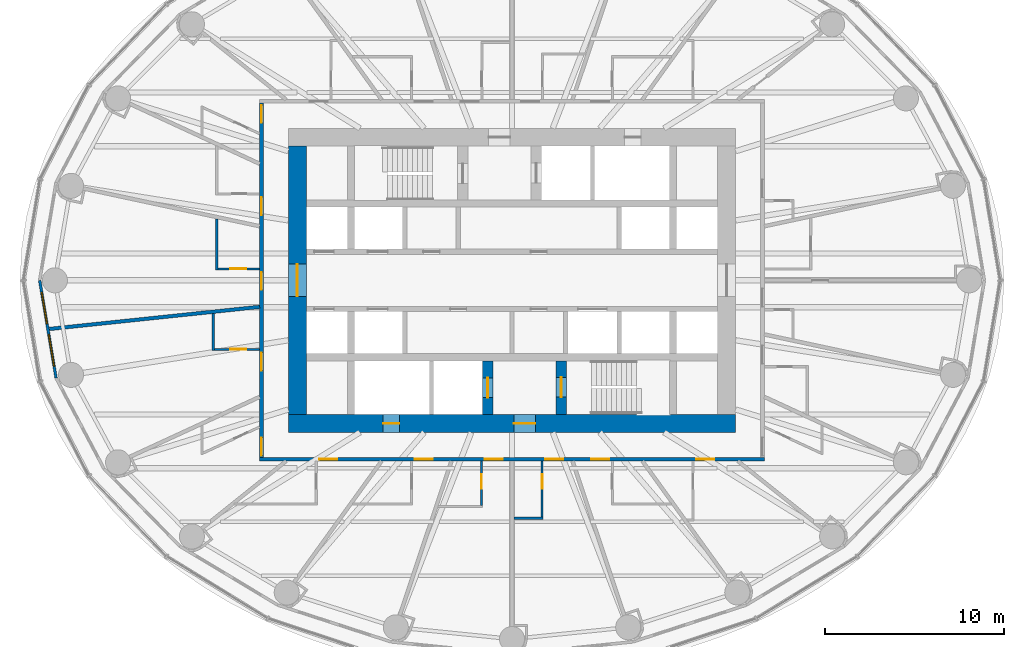
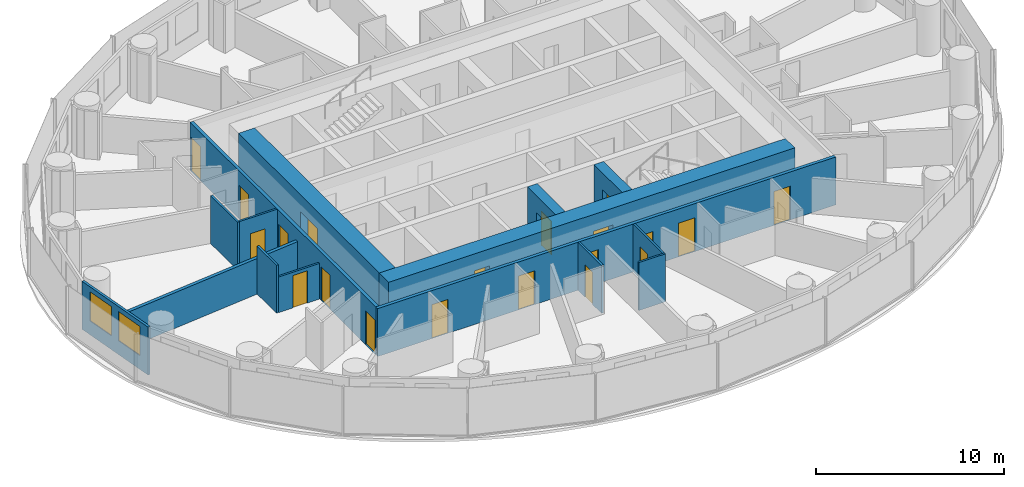
# One storey, part 7 of 14: 20 doors, 15 walls, 2 windows, 22 openings.
"""IFC4 building model written with IfcOpenShell, lengths in metres."""

from ifc_helpers import new_model, si_unit, direction, frame, frame_2d, origin, place, context, subcontext, project, spatial, rectangle, extrude, material, layer, layer_set, type_object, element, fill, save


model = new_model("IFC4")

# Units and contexts
model_context = context("Model", 3, precision=1e-05, world=origin(), true_north=direction((0.0, 1.0)))
body_context = subcontext(model_context, "Body", "Model", "MODEL_VIEW")
ifc_project = project(units=[si_unit("LENGTHUNIT", "METRE"), si_unit("AREAUNIT", "SQUARE_METRE"), si_unit("VOLUMEUNIT", "CUBIC_METRE"), si_unit("PLANEANGLEUNIT", "RADIAN"), si_unit("MASSUNIT", "GRAM", prefix="KILO")], contexts=[model_context])

# Site, building, storey
site_placement = place(None, origin())
site = spatial("IfcSite", under=ifc_project, at=site_placement, CompositionType="ELEMENT")
building_placement = place(site_placement, origin())
building = spatial("IfcBuilding", under=site, at=building_placement, Name="Hankou Lantern Tower", CompositionType="ELEMENT")
storey_placement = place(building_placement, frame((0.0, 0.0, 67.199951171875)))
storey = spatial("IfcBuildingStorey", under=building, at=storey_placement, Name="L16", CompositionType="ELEMENT", Elevation=67.199951171875)

# Wall, openings, doors
ifc_material_1 = material(Name="Concrete C60", Category="concrete")
ifc_layer_1 = layer(ifc_material_1, 1.0)
ifc_layer_set_1 = layer_set([ifc_layer_1], Name="Concrete C60")
wall_type_1 = type_object("IfcWallType", Name="CW1 CORE WALL 1000", PredefinedType="SHEAR", material=ifc_layer_set_1)
wall_1_placement = place(storey_placement, frame((12.5, -8.0, 0.0), z_axis=(0.0, 0.0, 1.0), x_axis=(-1.0, 0.0, 0.0)))
wall_1 = element("IfcWall", 1, at=wall_1_placement, inside=storey, type_object=wall_type_1, Name="Core wall south L16", PredefinedType="SHEAR", context=body_context, shape_type="SweptSolid", body=[
    extrude(rectangle(XDim=25.0, YDim=1.0, at=frame_2d((12.5, 0.0))), origin(), (0.0, 0.0, 1.0), 3.300048828125),
])
opening_1_placement = place(wall_1_placement, frame((11.199951171875, 0.0, 0.0)))
opening_1 = element("IfcOpeningElement", 2, at=opening_1_placement, cuts=wall_1, Name="Opening D5", PredefinedType="OPENING", context=body_context, shape_type="SweptSolid", body=[
    extrude(rectangle(XDim=1.199951171875, YDim=2.199951171875, at=frame_2d((0.60009765625, 1.10009765625))), frame((0.0, 0.510009765625, 0.0), z_axis=(0.0, -1.0, 0.0), x_axis=(1.0, 0.0, 0.0)), (0.0, 0.0, 1.0), 1.02001953125),
])
opening_2_placement = place(wall_1_placement, frame((18.800048828125, 0.0, 0.0)))
opening_2 = element("IfcOpeningElement", 3, at=opening_2_placement, cuts=wall_1, Name="Opening D7", PredefinedType="OPENING", context=body_context, shape_type="SweptSolid", body=[
    extrude(rectangle(XDim=0.89990234375, YDim=2.199951171875, at=frame_2d((0.449951171875, 1.10009765625))), frame((0.0, 0.510009765625, 0.0), z_axis=(0.0, -1.0, 0.0), x_axis=(1.0, 0.0, 0.0)), (0.0, 0.0, 1.0), 1.02001953125),
])
ifc_material_2 = material(Name="Steel door leaf", Category="steel")
door_type_1 = type_object("IfcDoorType", Name="D5 STAIR LOBBY DOOR 1200X2200", OperationType="SINGLE_SWING_LEFT", PredefinedType="DOOR", material=ifc_material_2)
door_1_placement = place(opening_1_placement, origin())
door_1 = element("IfcDoor", 4, at=door_1_placement, inside=storey, type_object=door_type_1, Name="Stair B lobby door", OperationType="SINGLE_SWING_LEFT", OverallHeight=2.199951171875, OverallWidth=1.199951171875, PredefinedType="DOOR", context=body_context, shape_type="SweptSolid", body=[
    extrude(rectangle(XDim=1.199951171875, YDim=2.199951171875, at=frame_2d((0.60009765625, 1.10009765625))), frame((0.0, 0.02490234375, 0.0), z_axis=(0.0, -1.0, 0.0), x_axis=(1.0, 0.0, 0.0)), (0.0, 0.0, 1.0), 0.050048828125),
])
fill(opening_1, door_1)
ifc_material_3 = material(Name="Steel door leaf", Category="steel")
door_type_2 = type_object("IfcDoorType", Name="D7 RISER DOOR 900X2200", OperationType="SINGLE_SWING_LEFT", PredefinedType="DOOR", material=ifc_material_3)
door_2_placement = place(opening_2_placement, origin())
door_2 = element("IfcDoor", 5, at=door_2_placement, inside=storey, type_object=door_type_2, Name="Riser S1 door", OperationType="SINGLE_SWING_RIGHT", OverallHeight=2.199951171875, OverallWidth=0.89990234375, PredefinedType="DOOR", context=body_context, shape_type="SweptSolid", body=[
    extrude(rectangle(XDim=0.89990234375, YDim=2.199951171875, at=frame_2d((0.449951171875, 1.10009765625))), frame((0.0, 0.02490234375, 0.0), z_axis=(0.0, -1.0, 0.0), x_axis=(1.0, 0.0, 0.0)), (0.0, 0.0, 1.0), 0.050048828125),
])
fill(opening_2, door_2)

# Wall, opening, door
wall_2_placement = place(storey_placement, frame((-12.0, 7.5, 0.0), z_axis=(0.0, 0.0, 1.0), x_axis=(0.0, -1.0, 0.0)))
wall_2 = element("IfcWall", 6, at=wall_2_placement, inside=storey, type_object=wall_type_1, Name="Core wall west L16", PredefinedType="SHEAR", context=body_context, shape_type="SweptSolid", body=[
    extrude(rectangle(XDim=15.0, YDim=1.0, at=frame_2d((7.5, 0.0))), origin(), (0.0, 0.0, 1.0), 3.300048828125),
])
opening_3_placement = place(wall_2_placement, frame((6.60009765625, 0.0, 0.0)))
opening_3 = element("IfcOpeningElement", 7, at=opening_3_placement, cuts=wall_2, Name="Opening D6", PredefinedType="OPENING", context=body_context, shape_type="SweptSolid", body=[
    extrude(rectangle(XDim=1.800048828125, YDim=2.199951171875, at=frame_2d((0.89990234375, 1.10009765625))), frame((0.0, 0.510009765625, 0.0), z_axis=(0.0, -1.0, 0.0), x_axis=(1.0, 0.0, 0.0)), (0.0, 0.0, 1.0), 1.02001953125),
])
ifc_material_4 = material(Name="Steel door leaf", Category="steel")
door_type_3 = type_object("IfcDoorType", Name="D6 LIFT LOBBY DOOR 1800X2200", OperationType="DOUBLE_DOOR_DOUBLE_SWING", PredefinedType="DOOR", material=ifc_material_4)
door_3_placement = place(opening_3_placement, origin())
door_3 = element("IfcDoor", 8, at=door_3_placement, inside=storey, type_object=door_type_3, Name="Lift lobby west door", OperationType="DOUBLE_DOOR_DOUBLE_SWING", OverallHeight=2.199951171875, OverallWidth=1.800048828125, PredefinedType="DOOR", context=body_context, shape_type="SweptSolid", body=[
    extrude(rectangle(XDim=1.800048828125, YDim=2.199951171875, at=frame_2d((0.89990234375, 1.10009765625))), frame((0.0, 0.02490234375, 0.0), z_axis=(0.0, -1.0, 0.0), x_axis=(1.0, 0.0, 0.0)), (0.0, 0.0, 1.0), 0.050048828125),
])
fill(opening_3, door_3)

ifc_material_5 = material(Name="Concrete C60", Category="concrete")
ifc_layer_2 = layer(ifc_material_5, 0.60009765625)
ifc_layer_set_2 = layer_set([ifc_layer_2], Name="Concrete C60")
wall_type_2 = type_object("IfcWallType", Name="CW6 STAIR AND SHAFT WALL 600", PredefinedType="SHEAR", material=ifc_layer_set_2)
wall_3_placement = place(storey_placement, frame((2.75, -7.5, 0.0), z_axis=(0.0, 0.0, 1.0), x_axis=(0.0, 1.0, 0.0)))
wall_3 = element("IfcWall", 9, at=wall_3_placement, inside=storey, type_object=wall_type_2, Name="Stair wall L16", PredefinedType="SHEAR", context=body_context, shape_type="SweptSolid", body=[
    extrude(rectangle(XDim=3.0, YDim=0.60009765625, at=frame_2d((1.5, 0.0))), origin(), (0.0, 0.0, 1.0), 3.300048828125),
])
opening_4_placement = place(wall_3_placement, frame((0.97509765625, 0.0, 0.0)))
opening_4 = element("IfcOpeningElement", 10, at=opening_4_placement, cuts=wall_3, Name="Opening D4", PredefinedType="OPENING", context=body_context, shape_type="SweptSolid", body=[
    extrude(rectangle(XDim=1.10009765625, YDim=2.199951171875, at=frame_2d((0.550048828125, 1.10009765625))), frame((0.0, 0.31005859375, 0.0), z_axis=(0.0, -1.0, 0.0), x_axis=(1.0, 0.0, 0.0)), (0.0, 0.0, 1.0), 0.6201171875),
])
ifc_material_6 = material(Name="Steel door leaf", Category="steel")
door_type_4 = type_object("IfcDoorType", Name="D4 STAIR DOOR 1100X2200", OperationType="SINGLE_SWING_LEFT", PredefinedType="DOOR", material=ifc_material_6)
door_4_placement = place(opening_4_placement, origin())
door_4 = element("IfcDoor", 11, at=door_4_placement, inside=storey, type_object=door_type_4, Name="Stair B door", OperationType="SINGLE_SWING_RIGHT", OverallHeight=2.199951171875, OverallWidth=1.10009765625, PredefinedType="DOOR", context=body_context, shape_type="SweptSolid", body=[
    extrude(rectangle(XDim=1.10009765625, YDim=2.199951171875, at=frame_2d((0.550048828125, 1.10009765625))), frame((0.0, 0.02490234375, 0.0), z_axis=(0.0, -1.0, 0.0), x_axis=(1.0, 0.0, 0.0)), (0.0, 0.0, 1.0), 0.050048828125),
])
fill(opening_4, door_4)

wall_4_placement = place(storey_placement, frame((-1.35009765625, -7.5, 0.0), z_axis=(0.0, 0.0, 1.0), x_axis=(0.0, 1.0, 0.0)))
wall_4 = element("IfcWall", 12, at=wall_4_placement, inside=storey, type_object=wall_type_2, Name="Firefighting lift shaft wall L16", PredefinedType="SHEAR", context=body_context, shape_type="SweptSolid", body=[
    extrude(rectangle(XDim=3.0, YDim=0.60009765625, at=frame_2d((1.5, 0.0))), origin(), (0.0, 0.0, 1.0), 3.300048828125),
])
opening_5_placement = place(wall_4_placement, frame((0.949951171875, 0.0, 0.0)))
opening_5 = element("IfcOpeningElement", 13, at=opening_5_placement, cuts=wall_4, Name="Opening LD2", PredefinedType="OPENING", context=body_context, shape_type="SweptSolid", body=[
    extrude(rectangle(XDim=1.10009765625, YDim=2.199951171875, at=frame_2d((0.550048828125, 1.10009765625))), frame((0.0, 0.31005859375, 0.0), z_axis=(0.0, -1.0, 0.0), x_axis=(1.0, 0.0, 0.0)), (0.0, 0.0, 1.0), 0.6201171875),
])
ifc_material_7 = material(Name="Steel door leaf", Category="steel")
door_type_5 = type_object("IfcDoorType", Name="LD2 FIREFIGHTING LIFT LANDING DOOR 1100X2200", OperationType="DOUBLE_DOOR_SLIDING", PredefinedType="DOOR", material=ifc_material_7)
door_5_placement = place(opening_5_placement, origin())
door_5 = element("IfcDoor", 14, at=door_5_placement, inside=storey, type_object=door_type_5, Name="Firefighting lift FL2 landing door", OperationType="DOUBLE_DOOR_SLIDING", OverallHeight=2.199951171875, OverallWidth=1.10009765625, PredefinedType="DOOR", context=body_context, shape_type="SweptSolid", body=[
    extrude(rectangle(XDim=1.10009765625, YDim=2.199951171875, at=frame_2d((0.550048828125, 1.10009765625))), frame((0.0, 0.02490234375, 0.0), z_axis=(0.0, -1.0, 0.0), x_axis=(1.0, 0.0, 0.0)), (0.0, 0.0, 1.0), 0.050048828125),
])
fill(opening_5, door_5)

# Wall, openings, windows
ifc_material_8 = material(Name="Aluminium spandrel panel on steel studs", Category="steel")
ifc_layer_3 = layer(ifc_material_8, 0.14990234375)
ifc_layer_set_3 = layer_set([ifc_layer_3], Name="Aluminium spandrel panel on steel studs")
wall_type_3 = type_object("IfcWallType", Name="EW1 INNER SKIN WALL 150", PredefinedType="ELEMENTEDWALL", material=ifc_layer_set_3)
wall_5_placement = place(storey_placement, frame((-26.39990234375, 0.0, 0.0), z_axis=(0.0, 0.0, 1.0), x_axis=(0.165642551694, -0.986185857264, 0.0)))
wall_5 = element("IfcWall", 15, at=wall_5_placement, inside=storey, type_object=wall_type_3, Name="Inner skin R13-R14 L16", PredefinedType="ELEMENTEDWALL", context=body_context, shape_type="SweptSolid", body=[
    extrude(rectangle(XDim=5.538818359375, YDim=0.14990234375, at=frame_2d((2.76953125, 0.0))), origin(), (0.0, 0.0, 1.0), 3.1201171875),
])
opening_6_placement = place(wall_5_placement, frame((0.66943359375, 0.0, 0.89990234375)))
opening_6 = element("IfcOpeningElement", 16, at=opening_6_placement, cuts=wall_5, Name="Opening W1", PredefinedType="OPENING", context=body_context, shape_type="SweptSolid", body=[
    extrude(rectangle(XDim=1.800048828125, YDim=1.89990234375, at=frame_2d((0.89990234375, 0.949951171875))), frame((0.0, 0.0849609375, 0.0), z_axis=(0.0, -1.0, 0.0), x_axis=(1.0, 0.0, 0.0)), (0.0, 0.0, 1.0), 0.169921875),
])
opening_7_placement = place(wall_5_placement, frame((3.069580078125, 0.0, 0.89990234375)))
opening_7 = element("IfcOpeningElement", 17, at=opening_7_placement, cuts=wall_5, Name="Opening W1", PredefinedType="OPENING", context=body_context, shape_type="SweptSolid", body=[
    extrude(rectangle(XDim=1.800048828125, YDim=1.89990234375, at=frame_2d((0.89990234375, 0.949951171875))), frame((0.0, 0.0849609375, 0.0), z_axis=(0.0, -1.0, 0.0), x_axis=(1.0, 0.0, 0.0)), (0.0, 0.0, 1.0), 0.169921875),
])
ifc_material_9 = material(Name="Aluminium framed double glazed window", Category="aluminium")
window_type = type_object("IfcWindowType", Name="W1 GUEST ROOM WINDOW 1800X1900", PartitioningType="DOUBLE_PANEL_VERTICAL", PredefinedType="WINDOW", material=ifc_material_9)
window_1_placement = place(opening_6_placement, origin())
window_1 = element("IfcWindow", 18, at=window_1_placement, inside=storey, type_object=window_type, Name="Window R13.1 L16", OverallHeight=1.89990234375, OverallWidth=1.800048828125, PartitioningType="SINGLE_PANEL", PredefinedType="WINDOW", context=body_context, shape_type="SweptSolid", body=[
    extrude(rectangle(XDim=1.800048828125, YDim=1.89990234375, at=frame_2d((0.89990234375, 0.949951171875))), frame((0.0, 0.030029296875, 0.0), z_axis=(0.0, -1.0, 0.0), x_axis=(1.0, 0.0, 0.0)), (0.0, 0.0, 1.0), 0.06005859375),
])
fill(opening_6, window_1)
window_2_placement = place(opening_7_placement, origin())
window_2 = element("IfcWindow", 19, at=window_2_placement, inside=storey, type_object=window_type, Name="Window R13.2 L16", OverallHeight=1.89990234375, OverallWidth=1.800048828125, PartitioningType="SINGLE_PANEL", PredefinedType="WINDOW", context=body_context, shape_type="SweptSolid", body=[
    extrude(rectangle(XDim=1.800048828125, YDim=1.89990234375, at=frame_2d((0.89990234375, 0.949951171875))), frame((0.0, 0.030029296875, 0.0), z_axis=(0.0, -1.0, 0.0), x_axis=(1.0, 0.0, 0.0)), (0.0, 0.0, 1.0), 0.06005859375),
])
fill(opening_7, window_2)

# Wall
ifc_material_10 = material(Name="Masonry lightweight concrete block", Category="masonry")
ifc_layer_4 = layer(ifc_material_10, 0.199951171875)
ifc_layer_set_4 = layer_set([ifc_layer_4], Name="Masonry lightweight concrete block")
wall_type_4 = type_object("IfcWallType", Name="IW1 GUEST ROOM PARTY WALL 200", PredefinedType="PARTITIONING", material=ifc_layer_set_4)
wall_6_placement = place(storey_placement, frame((-14.10009765625, -1.48193359375, 0.0), z_axis=(0.0, 0.0, 1.0), x_axis=(-0.994522076235, -0.104526742422, 0.0)))
element("IfcWall", 20, at=wall_6_placement, inside=storey, type_object=wall_type_4, Name="Party wall R13-R14", PredefinedType="PARTITIONING", context=body_context, shape_type="SweptSolid", body=[
    extrude(rectangle(XDim=11.82080078125, YDim=0.199951171875, at=frame_2d((5.910400390625, 0.0))), origin(), (0.0, 0.0, 1.0), 2.320068359375),
])

# Wall, openings, doors
ifc_material_11 = material(Name="Masonry lightweight concrete block", Category="masonry")
ifc_layer_5 = layer(ifc_material_11, 0.199951171875)
ifc_layer_set_5 = layer_set([ifc_layer_5], Name="Masonry lightweight concrete block")
wall_type_5 = type_object("IfcWallType", Name="IW2 CORRIDOR WALL 200", PredefinedType="PARTITIONING", material=ifc_layer_set_5)
wall_7_placement = place(storey_placement, frame((14.10009765625, -10.0, 0.0), z_axis=(0.0, 0.0, 1.0), x_axis=(-1.0, 0.0, 0.0)))
wall_7 = element("IfcWall", 21, at=wall_7_placement, inside=storey, type_object=wall_type_5, Name="Corridor wall south", PredefinedType="PARTITIONING", context=body_context, shape_type="SweptSolid", body=[
    extrude(rectangle(XDim=28.2001953125, YDim=0.199951171875, at=frame_2d((14.10009765625, 0.0))), origin(), (0.0, 0.0, 1.0), 3.1201171875),
])
opening_8_placement = place(wall_7_placement, frame((23.864990234375, 0.0, 0.0)))
opening_8 = element("IfcOpeningElement", 22, at=opening_8_placement, cuts=wall_7, Name="Opening D1", PredefinedType="OPENING", context=body_context, shape_type="SweptSolid", body=[
    extrude(rectangle(XDim=1.0, YDim=2.199951171875, at=frame_2d((0.5, 1.10009765625))), frame((0.0, 0.10986328125, 0.0), z_axis=(0.0, -1.0, 0.0), x_axis=(1.0, 0.0, 0.0)), (0.0, 0.0, 1.0), 0.219970703125),
])
opening_9_placement = place(wall_7_placement, frame((18.529052734375, 0.0, 0.0)))
opening_9 = element("IfcOpeningElement", 23, at=opening_9_placement, cuts=wall_7, Name="Opening D1", PredefinedType="OPENING", context=body_context, shape_type="SweptSolid", body=[
    extrude(rectangle(XDim=1.0, YDim=2.199951171875, at=frame_2d((0.5, 1.10009765625))), frame((0.0, 0.10986328125, 0.0), z_axis=(0.0, -1.0, 0.0), x_axis=(1.0, 0.0, 0.0)), (0.0, 0.0, 1.0), 0.219970703125),
])
opening_10_placement = place(wall_7_placement, frame((14.622802734375, 0.0, 0.0)))
opening_10 = element("IfcOpeningElement", 24, at=opening_10_placement, cuts=wall_7, Name="Opening D1", PredefinedType="OPENING", context=body_context, shape_type="SweptSolid", body=[
    extrude(rectangle(XDim=1.0, YDim=2.199951171875, at=frame_2d((0.5, 1.10009765625))), frame((0.0, 0.10986328125, 0.0), z_axis=(0.0, -1.0, 0.0), x_axis=(1.0, 0.0, 0.0)), (0.0, 0.0, 1.0), 0.219970703125),
])
opening_11_placement = place(wall_7_placement, frame((11.239990234375, 0.0, 0.0)))
opening_11 = element("IfcOpeningElement", 25, at=opening_11_placement, cuts=wall_7, Name="Opening D1", PredefinedType="OPENING", context=body_context, shape_type="SweptSolid", body=[
    extrude(rectangle(XDim=1.0, YDim=2.199951171875, at=frame_2d((0.5, 1.10009765625))), frame((0.0, 0.10986328125, 0.0), z_axis=(0.0, -1.0, 0.0), x_axis=(1.0, 0.0, 0.0)), (0.0, 0.0, 1.0), 0.219970703125),
])
opening_12_placement = place(wall_7_placement, frame((8.6708984375, 0.0, 0.0)))
opening_12 = element("IfcOpeningElement", 26, at=opening_12_placement, cuts=wall_7, Name="Opening D1", PredefinedType="OPENING", context=body_context, shape_type="SweptSolid", body=[
    extrude(rectangle(XDim=1.0, YDim=2.199951171875, at=frame_2d((0.5, 1.10009765625))), frame((0.0, 0.10986328125, 0.0), z_axis=(0.0, -1.0, 0.0), x_axis=(1.0, 0.0, 0.0)), (0.0, 0.0, 1.0), 0.219970703125),
])
opening_13_placement = place(wall_7_placement, frame((2.801025390625, 0.0, 0.0)))
opening_13 = element("IfcOpeningElement", 27, at=opening_13_placement, cuts=wall_7, Name="Opening D1", PredefinedType="OPENING", context=body_context, shape_type="SweptSolid", body=[
    extrude(rectangle(XDim=1.0, YDim=2.199951171875, at=frame_2d((0.5, 1.10009765625))), frame((0.0, 0.10986328125, 0.0), z_axis=(0.0, -1.0, 0.0), x_axis=(1.0, 0.0, 0.0)), (0.0, 0.0, 1.0), 0.219970703125),
])
ifc_material_12 = material(Name="Steel door leaf", Category="steel")
door_type_6 = type_object("IfcDoorType", Name="D1 GUEST ROOM DOOR 1000X2200", OperationType="SINGLE_SWING_LEFT", PredefinedType="DOOR", material=ifc_material_12)
door_6_placement = place(opening_8_placement, origin())
door_6 = element("IfcDoor", 28, at=door_6_placement, inside=storey, type_object=door_type_6, Name="Guest room door 1615", OperationType="SINGLE_SWING_RIGHT", OverallHeight=2.199951171875, OverallWidth=1.0, PredefinedType="DOOR", context=body_context, shape_type="SweptSolid", body=[
    extrude(rectangle(XDim=1.0, YDim=2.199951171875, at=frame_2d((0.5, 1.10009765625))), frame((0.0, 0.02490234375, 0.0), z_axis=(0.0, -1.0, 0.0), x_axis=(1.0, 0.0, 0.0)), (0.0, 0.0, 1.0), 0.050048828125),
])
fill(opening_8, door_6)
door_7_placement = place(opening_9_placement, origin())
door_7 = element("IfcDoor", 29, at=door_7_placement, inside=storey, type_object=door_type_6, Name="Guest room door 1616", OperationType="SINGLE_SWING_RIGHT", OverallHeight=2.199951171875, OverallWidth=1.0, PredefinedType="DOOR", context=body_context, shape_type="SweptSolid", body=[
    extrude(rectangle(XDim=1.0, YDim=2.199951171875, at=frame_2d((0.5, 1.10009765625))), frame((0.0, 0.02490234375, 0.0), z_axis=(0.0, -1.0, 0.0), x_axis=(1.0, 0.0, 0.0)), (0.0, 0.0, 1.0), 0.050048828125),
])
fill(opening_9, door_7)
door_8_placement = place(opening_10_placement, origin())
door_8 = element("IfcDoor", 30, at=door_8_placement, inside=storey, type_object=door_type_6, Name="Guest room door 1617", OperationType="SINGLE_SWING_RIGHT", OverallHeight=2.199951171875, OverallWidth=1.0, PredefinedType="DOOR", context=body_context, shape_type="SweptSolid", body=[
    extrude(rectangle(XDim=1.0, YDim=2.199951171875, at=frame_2d((0.5, 1.10009765625))), frame((0.0, 0.02490234375, 0.0), z_axis=(0.0, -1.0, 0.0), x_axis=(1.0, 0.0, 0.0)), (0.0, 0.0, 1.0), 0.050048828125),
])
fill(opening_10, door_8)
door_9_placement = place(opening_11_placement, origin())
door_9 = element("IfcDoor", 31, at=door_9_placement, inside=storey, type_object=door_type_6, Name="Guest room door 1618", OperationType="SINGLE_SWING_RIGHT", OverallHeight=2.199951171875, OverallWidth=1.0, PredefinedType="DOOR", context=body_context, shape_type="SweptSolid", body=[
    extrude(rectangle(XDim=1.0, YDim=2.199951171875, at=frame_2d((0.5, 1.10009765625))), frame((0.0, 0.02490234375, 0.0), z_axis=(0.0, -1.0, 0.0), x_axis=(1.0, 0.0, 0.0)), (0.0, 0.0, 1.0), 0.050048828125),
])
fill(opening_11, door_9)
door_10_placement = place(opening_12_placement, origin())
door_10 = element("IfcDoor", 32, at=door_10_placement, inside=storey, type_object=door_type_6, Name="Guest room door 1619", OperationType="SINGLE_SWING_LEFT", OverallHeight=2.199951171875, OverallWidth=1.0, PredefinedType="DOOR", context=body_context, shape_type="SweptSolid", body=[
    extrude(rectangle(XDim=1.0, YDim=2.199951171875, at=frame_2d((0.5, 1.10009765625))), frame((0.0, 0.02490234375, 0.0), z_axis=(0.0, -1.0, 0.0), x_axis=(1.0, 0.0, 0.0)), (0.0, 0.0, 1.0), 0.050048828125),
])
fill(opening_12, door_10)
door_11_placement = place(opening_13_placement, origin())
door_11 = element("IfcDoor", 33, at=door_11_placement, inside=storey, type_object=door_type_6, Name="Guest room door 1620", OperationType="SINGLE_SWING_RIGHT", OverallHeight=2.199951171875, OverallWidth=1.0, PredefinedType="DOOR", context=body_context, shape_type="SweptSolid", body=[
    extrude(rectangle(XDim=1.0, YDim=2.199951171875, at=frame_2d((0.5, 1.10009765625))), frame((0.0, 0.02490234375, 0.0), z_axis=(0.0, -1.0, 0.0), x_axis=(1.0, 0.0, 0.0)), (0.0, 0.0, 1.0), 0.050048828125),
])
fill(opening_13, door_11)

wall_8_placement = place(storey_placement, frame((-14.0, 9.89990234375, 0.0), z_axis=(0.0, 0.0, 1.0), x_axis=(0.0, -1.0, 0.0)))
wall_8 = element("IfcWall", 34, at=wall_8_placement, inside=storey, type_object=wall_type_5, Name="Corridor wall west", PredefinedType="PARTITIONING", context=body_context, shape_type="SweptSolid", body=[
    extrude(rectangle(XDim=19.7998046875, YDim=0.199951171875, at=frame_2d((9.89990234375, 0.0))), origin(), (0.0, 0.0, 1.0), 3.1201171875),
])
opening_14_placement = place(wall_8_placement, frame((0.1025390625, 0.0, 0.0)))
opening_14 = element("IfcOpeningElement", 35, at=opening_14_placement, cuts=wall_8, Name="Opening D1", PredefinedType="OPENING", context=body_context, shape_type="SweptSolid", body=[
    extrude(rectangle(XDim=1.0, YDim=2.199951171875, at=frame_2d((0.5, 1.10009765625))), frame((0.0, 0.10986328125, 0.0), z_axis=(0.0, -1.0, 0.0), x_axis=(1.0, 0.0, 0.0)), (0.0, 0.0, 1.0), 0.219970703125),
])
opening_15_placement = place(wall_8_placement, frame((5.24755859375, 0.0, 0.0)))
opening_15 = element("IfcOpeningElement", 36, at=opening_15_placement, cuts=wall_8, Name="Opening D1", PredefinedType="OPENING", context=body_context, shape_type="SweptSolid", body=[
    extrude(rectangle(XDim=1.0, YDim=2.199951171875, at=frame_2d((0.5, 1.10009765625))), frame((0.0, 0.10986328125, 0.0), z_axis=(0.0, -1.0, 0.0), x_axis=(1.0, 0.0, 0.0)), (0.0, 0.0, 1.0), 0.219970703125),
])
opening_16_placement = place(wall_8_placement, frame((9.4375, 0.0, 0.0)))
opening_16 = element("IfcOpeningElement", 37, at=opening_16_placement, cuts=wall_8, Name="Opening D1", PredefinedType="OPENING", context=body_context, shape_type="SweptSolid", body=[
    extrude(rectangle(XDim=1.0, YDim=2.199951171875, at=frame_2d((0.5, 1.10009765625))), frame((0.0, 0.10986328125, 0.0), z_axis=(0.0, -1.0, 0.0), x_axis=(1.0, 0.0, 0.0)), (0.0, 0.0, 1.0), 0.219970703125),
])
opening_17_placement = place(wall_8_placement, frame((13.94189453125, 0.0, 0.0)))
opening_17 = element("IfcOpeningElement", 38, at=opening_17_placement, cuts=wall_8, Name="Opening D1", PredefinedType="OPENING", context=body_context, shape_type="SweptSolid", body=[
    extrude(rectangle(XDim=1.0, YDim=2.199951171875, at=frame_2d((0.5, 1.10009765625))), frame((0.0, 0.10986328125, 0.0), z_axis=(0.0, -1.0, 0.0), x_axis=(1.0, 0.0, 0.0)), (0.0, 0.0, 1.0), 0.219970703125),
])
opening_18_placement = place(wall_8_placement, frame((18.697509765625, 0.0, 0.0)))
opening_18 = element("IfcOpeningElement", 39, at=opening_18_placement, cuts=wall_8, Name="Opening D1", PredefinedType="OPENING", context=body_context, shape_type="SweptSolid", body=[
    extrude(rectangle(XDim=1.0, YDim=2.199951171875, at=frame_2d((0.5, 1.10009765625))), frame((0.0, 0.10986328125, 0.0), z_axis=(0.0, -1.0, 0.0), x_axis=(1.0, 0.0, 0.0)), (0.0, 0.0, 1.0), 0.219970703125),
])
door_12_placement = place(opening_14_placement, origin())
door_12 = element("IfcDoor", 40, at=door_12_placement, inside=storey, type_object=door_type_6, Name="Guest room door 1610", OperationType="SINGLE_SWING_LEFT", OverallHeight=2.199951171875, OverallWidth=1.0, PredefinedType="DOOR", context=body_context, shape_type="SweptSolid", body=[
    extrude(rectangle(XDim=1.0, YDim=2.199951171875, at=frame_2d((0.5, 1.10009765625))), frame((0.0, 0.02490234375, 0.0), z_axis=(0.0, -1.0, 0.0), x_axis=(1.0, 0.0, 0.0)), (0.0, 0.0, 1.0), 0.050048828125),
])
fill(opening_14, door_12)
door_13_placement = place(opening_15_placement, origin())
door_13 = element("IfcDoor", 41, at=door_13_placement, inside=storey, type_object=door_type_6, Name="Guest room door 1611", OperationType="SINGLE_SWING_LEFT", OverallHeight=2.199951171875, OverallWidth=1.0, PredefinedType="DOOR", context=body_context, shape_type="SweptSolid", body=[
    extrude(rectangle(XDim=1.0, YDim=2.199951171875, at=frame_2d((0.5, 1.10009765625))), frame((0.0, 0.02490234375, 0.0), z_axis=(0.0, -1.0, 0.0), x_axis=(1.0, 0.0, 0.0)), (0.0, 0.0, 1.0), 0.050048828125),
])
fill(opening_15, door_13)
door_14_placement = place(opening_16_placement, origin())
door_14 = element("IfcDoor", 42, at=door_14_placement, inside=storey, type_object=door_type_6, Name="Guest room door 1612", OperationType="SINGLE_SWING_RIGHT", OverallHeight=2.199951171875, OverallWidth=1.0, PredefinedType="DOOR", context=body_context, shape_type="SweptSolid", body=[
    extrude(rectangle(XDim=1.0, YDim=2.199951171875, at=frame_2d((0.5, 1.10009765625))), frame((0.0, 0.02490234375, 0.0), z_axis=(0.0, -1.0, 0.0), x_axis=(1.0, 0.0, 0.0)), (0.0, 0.0, 1.0), 0.050048828125),
])
fill(opening_16, door_14)
door_15_placement = place(opening_17_placement, origin())
door_15 = element("IfcDoor", 43, at=door_15_placement, inside=storey, type_object=door_type_6, Name="Guest room door 1613", OperationType="SINGLE_SWING_RIGHT", OverallHeight=2.199951171875, OverallWidth=1.0, PredefinedType="DOOR", context=body_context, shape_type="SweptSolid", body=[
    extrude(rectangle(XDim=1.0, YDim=2.199951171875, at=frame_2d((0.5, 1.10009765625))), frame((0.0, 0.02490234375, 0.0), z_axis=(0.0, -1.0, 0.0), x_axis=(1.0, 0.0, 0.0)), (0.0, 0.0, 1.0), 0.050048828125),
])
fill(opening_17, door_15)
door_16_placement = place(opening_18_placement, origin())
door_16 = element("IfcDoor", 44, at=door_16_placement, inside=storey, type_object=door_type_6, Name="Guest room door 1614", OperationType="SINGLE_SWING_RIGHT", OverallHeight=2.199951171875, OverallWidth=1.0, PredefinedType="DOOR", context=body_context, shape_type="SweptSolid", body=[
    extrude(rectangle(XDim=1.0, YDim=2.199951171875, at=frame_2d((0.5, 1.10009765625))), frame((0.0, 0.02490234375, 0.0), z_axis=(0.0, -1.0, 0.0), x_axis=(1.0, 0.0, 0.0)), (0.0, 0.0, 1.0), 0.050048828125),
])
fill(opening_18, door_16)

# Wall
ifc_material_13 = material(Name="Masonry lightweight concrete block", Category="masonry")
ifc_layer_6 = layer(ifc_material_13, 0.1201171875)
ifc_layer_set_6 = layer_set([ifc_layer_6], Name="Masonry lightweight concrete block")
wall_type_6 = type_object("IfcWallType", Name="IW3 BATHROOM WALL 120", PredefinedType="PARTITIONING", material=ifc_layer_set_6)
wall_9_placement = place(storey_placement, frame((-16.5, 3.43701171875, 0.0), z_axis=(0.0, 0.0, 1.0), x_axis=(0.0, -1.0, 0.0)))
element("IfcWall", 45, at=wall_9_placement, inside=storey, type_object=wall_type_6, Name="Box wall 1612 1", PredefinedType="PARTITIONING", context=body_context, shape_type="SweptSolid", body=[
    extrude(rectangle(XDim=2.8544921875, YDim=0.1201171875, at=frame_2d((1.42724609375, 0.0))), origin(), (0.0, 0.0, 1.0), 3.1201171875),
])

# Wall, opening, door
wall_10_placement = place(storey_placement, frame((-14.10009765625, 0.642578125, 0.0), z_axis=(0.0, 0.0, 1.0), x_axis=(-1.0, 0.0, 0.0)))
wall_10 = element("IfcWall", 46, at=wall_10_placement, inside=storey, type_object=wall_type_6, Name="Box wall 1612 1", PredefinedType="PARTITIONING", context=body_context, shape_type="SweptSolid", body=[
    extrude(rectangle(XDim=2.33984375, YDim=0.1201171875, at=frame_2d((1.169921875, 0.0))), origin(), (0.0, 0.0, 1.0), 3.1201171875),
])
opening_19_placement = place(wall_10_placement, frame((0.75, 0.0, 0.0)))
opening_19 = element("IfcOpeningElement", 47, at=opening_19_placement, cuts=wall_10, Name="Opening D26", PredefinedType="OPENING", context=body_context, shape_type="SweptSolid", body=[
    extrude(rectangle(XDim=0.89990234375, YDim=2.10009765625, at=frame_2d((0.449951171875, 1.050048828125))), frame((0.0, 0.070068359375, 0.0), z_axis=(0.0, -1.0, 0.0), x_axis=(1.0, 0.0, 0.0)), (0.0, 0.0, 1.0), 0.14013671875),
])
ifc_material_14 = material(Name="Timber door leaf", Category="wood")
door_type_7 = type_object("IfcDoorType", Name="D26 ACCESSIBLE BATHROOM DOOR 900X2100", OperationType="SLIDING_TO_LEFT", PredefinedType="DOOR", material=ifc_material_14)
door_17_placement = place(opening_19_placement, origin())
door_17 = element("IfcDoor", 48, at=door_17_placement, inside=storey, type_object=door_type_7, Name="Accessible bathroom 1612 door", OperationType="SLIDING_TO_LEFT", OverallHeight=2.10009765625, OverallWidth=0.89990234375, PredefinedType="DOOR", context=body_context, shape_type="SweptSolid", body=[
    extrude(rectangle(XDim=0.89990234375, YDim=2.10009765625, at=frame_2d((0.449951171875, 1.050048828125))), frame((0.0, 0.02490234375, 0.0), z_axis=(0.0, -1.0, 0.0), x_axis=(1.0, 0.0, 0.0)), (0.0, 0.0, 1.0), 0.050048828125),
])
fill(opening_19, door_17)

# Wall
wall_11_placement = place(storey_placement, frame((-16.699951171875, -1.855224609375, 0.0), z_axis=(0.0, 0.0, 1.0), x_axis=(0.0, -1.0, 0.0)))
element("IfcWall", 49, at=wall_11_placement, inside=storey, type_object=wall_type_6, Name="Box wall 1613 1", PredefinedType="PARTITIONING", context=body_context, shape_type="SweptSolid", body=[
    extrude(rectangle(XDim=2.066650390625, YDim=0.1201171875, at=frame_2d((1.033203125, 0.0))), origin(), (0.0, 0.0, 1.0), 3.1201171875),
])

# Wall, opening, door
wall_12_placement = place(storey_placement, frame((-14.10009765625, -3.862060546875, 0.0), z_axis=(0.0, 0.0, 1.0), x_axis=(-1.0, 0.0, 0.0)))
wall_12 = element("IfcWall", 50, at=wall_12_placement, inside=storey, type_object=wall_type_6, Name="Box wall 1613 1", PredefinedType="PARTITIONING", context=body_context, shape_type="SweptSolid", body=[
    extrude(rectangle(XDim=2.539794921875, YDim=0.1201171875, at=frame_2d((1.27001953125, 0.0))), origin(), (0.0, 0.0, 1.0), 2.320068359375),
])
opening_20_placement = place(wall_12_placement, frame((0.75, 0.0, 0.0)))
opening_20 = element("IfcOpeningElement", 51, at=opening_20_placement, cuts=wall_12, Name="Opening D26", PredefinedType="OPENING", context=body_context, shape_type="SweptSolid", body=[
    extrude(rectangle(XDim=0.89990234375, YDim=2.10009765625, at=frame_2d((0.449951171875, 1.050048828125))), frame((0.0, 0.070068359375, 0.0), z_axis=(0.0, -1.0, 0.0), x_axis=(1.0, 0.0, 0.0)), (0.0, 0.0, 1.0), 0.14013671875),
])
door_18_placement = place(opening_20_placement, origin())
door_18 = element("IfcDoor", 52, at=door_18_placement, inside=storey, type_object=door_type_7, Name="Accessible bathroom 1613 door", OperationType="SLIDING_TO_LEFT", OverallHeight=2.10009765625, OverallWidth=0.89990234375, PredefinedType="DOOR", context=body_context, shape_type="SweptSolid", body=[
    extrude(rectangle(XDim=0.89990234375, YDim=2.10009765625, at=frame_2d((0.449951171875, 1.050048828125))), frame((0.0, 0.02490234375, 0.0), z_axis=(0.0, -1.0, 0.0), x_axis=(1.0, 0.0, 0.0)), (0.0, 0.0, 1.0), 0.050048828125),
])
fill(opening_20, door_18)

wall_13_placement = place(storey_placement, frame((-1.702880859375, -10.10009765625, 0.0), z_axis=(0.0, 0.0, 1.0), x_axis=(0.0, -1.0, 0.0)))
wall_13 = element("IfcWall", 53, at=wall_13_placement, inside=storey, type_object=wall_type_6, Name="Box wall 1617 1", PredefinedType="PARTITIONING", context=body_context, shape_type="SweptSolid", body=[
    extrude(rectangle(XDim=2.489990234375, YDim=0.1201171875, at=frame_2d((1.2451171875, 0.0))), origin(), (0.0, 0.0, 1.0), 3.1201171875),
])
opening_21_placement = place(wall_13_placement, frame((0.75, 0.0, 0.0)))
opening_21 = element("IfcOpeningElement", 54, at=opening_21_placement, cuts=wall_13, Name="Opening D3", PredefinedType="OPENING", context=body_context, shape_type="SweptSolid", body=[
    extrude(rectangle(XDim=0.800048828125, YDim=2.10009765625, at=frame_2d((0.39990234375, 1.050048828125))), frame((0.0, 0.070068359375, 0.0), z_axis=(0.0, -1.0, 0.0), x_axis=(1.0, 0.0, 0.0)), (0.0, 0.0, 1.0), 0.14013671875),
])
ifc_material_15 = material(Name="Timber door leaf", Category="wood")
door_type_8 = type_object("IfcDoorType", Name="D3 BATHROOM DOOR 800X2100", OperationType="SINGLE_SWING_LEFT", PredefinedType="DOOR", material=ifc_material_15)
door_19_placement = place(opening_21_placement, origin())
door_19 = element("IfcDoor", 55, at=door_19_placement, inside=storey, type_object=door_type_8, Name="En-suite bathroom 1617 door", OperationType="SINGLE_SWING_LEFT", OverallHeight=2.10009765625, OverallWidth=0.800048828125, PredefinedType="DOOR", context=body_context, shape_type="SweptSolid", body=[
    extrude(rectangle(XDim=0.800048828125, YDim=2.10009765625, at=frame_2d((0.39990234375, 1.050048828125))), frame((0.0, 0.02490234375, 0.0), z_axis=(0.0, -1.0, 0.0), x_axis=(1.0, 0.0, 0.0)), (0.0, 0.0, 1.0), 0.050048828125),
])
fill(opening_21, door_19)

# Wall
wall_14_placement = place(storey_placement, frame((0.10009765625, -13.300048828125, 0.0), z_axis=(0.0, 0.0, 1.0), x_axis=(1.0, 0.0, 0.0)))
element("IfcWall", 56, at=wall_14_placement, inside=storey, type_object=wall_type_6, Name="Box wall 1618 1", PredefinedType="PARTITIONING", context=body_context, shape_type="SweptSolid", body=[
    extrude(rectangle(XDim=1.639892578125, YDim=0.1201171875, at=frame_2d((0.81982421875, 0.0))), origin(), (0.0, 0.0, 1.0), 3.1201171875),
])

# Wall, opening, door
wall_15_placement = place(storey_placement, frame((1.679931640625, -10.10009765625, 0.0), z_axis=(0.0, 0.0, 1.0), x_axis=(0.0, -1.0, 0.0)))
wall_15 = element("IfcWall", 57, at=wall_15_placement, inside=storey, type_object=wall_type_6, Name="Box wall 1618 1", PredefinedType="PARTITIONING", context=body_context, shape_type="SweptSolid", body=[
    extrude(rectangle(XDim=3.139892578125, YDim=0.1201171875, at=frame_2d((1.56982421875, 0.0))), origin(), (0.0, 0.0, 1.0), 3.1201171875),
])
opening_22_placement = place(wall_15_placement, frame((0.75, 0.0, 0.0)))
opening_22 = element("IfcOpeningElement", 58, at=opening_22_placement, cuts=wall_15, Name="Opening D3", PredefinedType="OPENING", context=body_context, shape_type="SweptSolid", body=[
    extrude(rectangle(XDim=0.800048828125, YDim=2.10009765625, at=frame_2d((0.39990234375, 1.050048828125))), frame((0.0, 0.070068359375, 0.0), z_axis=(0.0, -1.0, 0.0), x_axis=(1.0, 0.0, 0.0)), (0.0, 0.0, 1.0), 0.14013671875),
])
door_20_placement = place(opening_22_placement, origin())
door_20 = element("IfcDoor", 59, at=door_20_placement, inside=storey, type_object=door_type_8, Name="En-suite bathroom 1618 door", OperationType="SINGLE_SWING_LEFT", OverallHeight=2.10009765625, OverallWidth=0.800048828125, PredefinedType="DOOR", context=body_context, shape_type="SweptSolid", body=[
    extrude(rectangle(XDim=0.800048828125, YDim=2.10009765625, at=frame_2d((0.39990234375, 1.050048828125))), frame((0.0, 0.02490234375, 0.0), z_axis=(0.0, -1.0, 0.0), x_axis=(1.0, 0.0, 0.0)), (0.0, 0.0, 1.0), 0.050048828125),
])
fill(opening_22, door_20)

save(model, "model.ifc")
